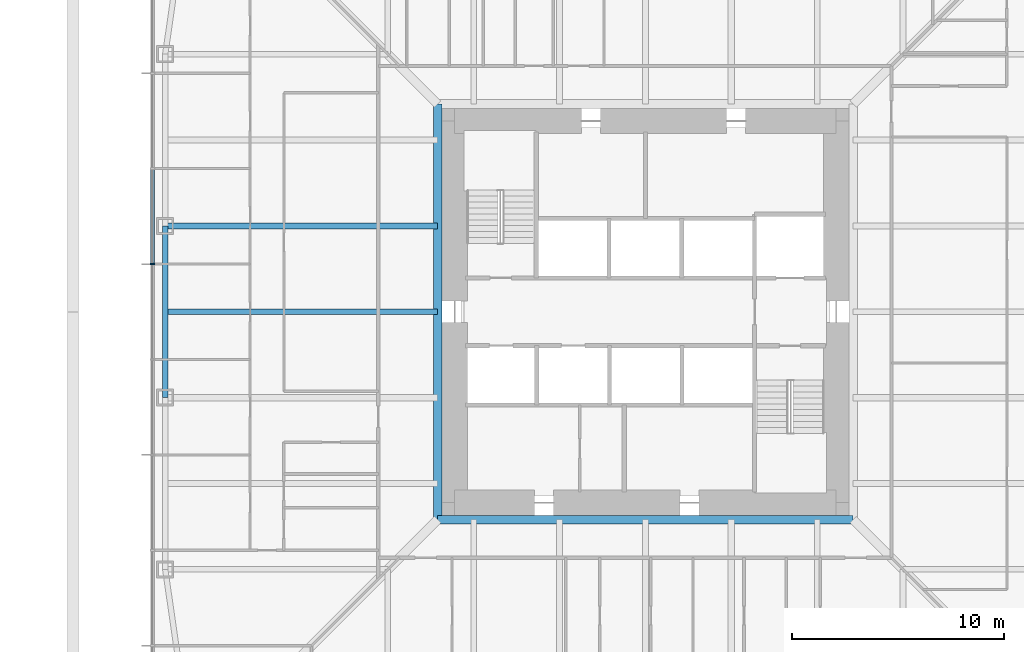
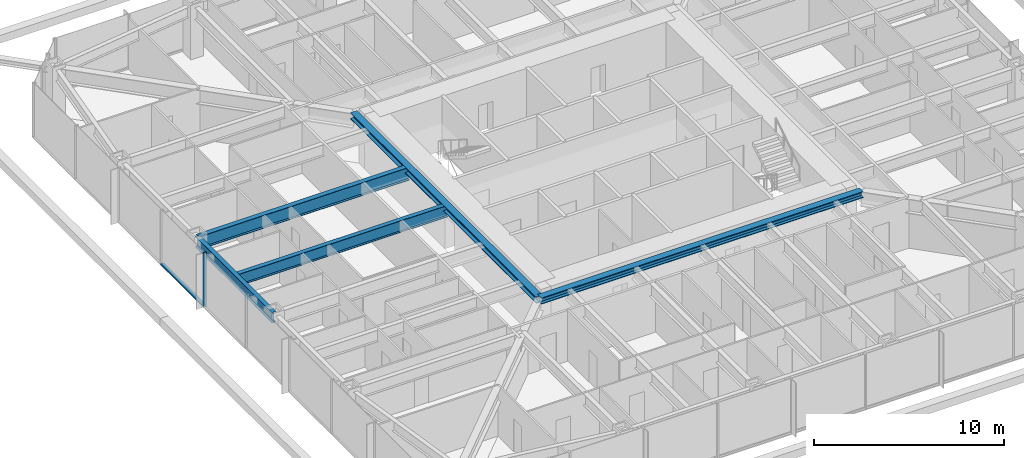
# One storey, part 4 of 27: 5 beams, 2 members, 1 element without a shape of its own.
"""IFC4 building model written with IfcOpenShell, lengths in metres."""

from ifc_helpers import new_model, si_unit, direction, frame, origin, origin_2d, place, context, subcontext, project, spatial, rectangle, i_section, extrude, material, material_profile, profile_set, type_object, element, aggregate, save


model = new_model("IFC4")

# Units and contexts
model_context = context("Model", 3, precision=1e-05, world=origin(), true_north=direction((0.0, 1.0)))
body_context = subcontext(model_context, "Body", "Model", "MODEL_VIEW")
ifc_project = project(units=[si_unit("LENGTHUNIT", "METRE"), si_unit("AREAUNIT", "SQUARE_METRE"), si_unit("VOLUMEUNIT", "CUBIC_METRE"), si_unit("PLANEANGLEUNIT", "RADIAN"), si_unit("MASSUNIT", "GRAM", prefix="KILO")], contexts=[model_context])

# Site, building, storey
site_placement = place(None, origin())
site = spatial("IfcSite", under=ifc_project, at=site_placement, CompositionType="ELEMENT")
building_placement = place(site_placement, origin())
building = spatial("IfcBuilding", under=site, at=building_placement, Name="Iwan Alto Co-Living Towers", CompositionType="ELEMENT")
storey_placement = place(building_placement, frame((0.0, 0.0, 53.5)))
storey = spatial("IfcBuildingStorey", under=building, at=storey_placement, Name="L14", CompositionType="ELEMENT", Elevation=53.5)

# Curtain wall, members
ifc_material_1 = material(Name="Bronze aluminium unitised frame", Category="aluminium")
curtain_wall_type = type_object("IfcCurtainWallType", Name="CURTAIN WALL CW-A", PredefinedType="NOTDEFINED", material=ifc_material_1)
curtain_wall_placement = place(storey_placement, origin())
curtain_wall = element("IfcCurtainWall", 1, at=curtain_wall_placement, inside=storey, type_object=curtain_wall_type, Name="T1 curtain wall W L14", PredefinedType="NOTDEFINED")
ifc_material_2 = material(Name="Aluminium 6063-T6 bronze anodised", Category="aluminium")
ifc_material_profile_1 = material_profile(ifc_material_2, rectangle(XDim=0.199951171875, YDim=0.080078125, at=origin_2d()), Name="AL 80X200")
ifc_profile_set_1 = profile_set([ifc_material_profile_1], Name="Aluminium 6063-T6 bronze anodised")
member_type_1 = type_object("IfcMemberType", Name="CW-A MULLION 80X200", PredefinedType="MULLION", material=ifc_profile_set_1)
member_1_placement = place(storey_placement, frame((-23.25, 2.25, 0.0), z_axis=(0.0, 0.0, 1.0), x_axis=(1.0, 0.0, 0.0)))
member_1 = element("IfcMember", 2, at=member_1_placement, type_object=member_type_1, Name="CW-A mullion 5", PredefinedType="MULLION", context=body_context, shape_type="SweptSolid", body=[
    extrude(rectangle(XDim=0.199951171875, YDim=0.080078125, at=origin_2d()), origin(), (0.0, 0.0, 1.0), 3.5),
])
ifc_material_3 = material(Name="Aluminium 6063-T6 bronze anodised", Category="aluminium")
ifc_material_profile_2 = material_profile(ifc_material_3, rectangle(XDim=0.199951171875, YDim=0.10009765625, at=origin_2d()), Name="AL 200X100")
ifc_profile_set_2 = profile_set([ifc_material_profile_2], Name="Aluminium 6063-T6 bronze anodised")
member_type_2 = type_object("IfcMemberType", Name="CW-A TRANSOM 200X100", PredefinedType="USERDEFINED", material=ifc_profile_set_2)
member_2_placement = place(storey_placement, frame((-23.25, 6.7099609375, 0.050048828125), z_axis=(0.0, -1.0, 0.0), x_axis=(1.0, 0.0, 0.0)))
member_2 = element("IfcMember", 3, at=member_2_placement, type_object=member_type_2, Name="CW-A transom 4.1", ObjectType="TRANSOM", PredefinedType="USERDEFINED", context=body_context, shape_type="SweptSolid", body=[
    extrude(rectangle(XDim=0.199951171875, YDim=0.10009765625, at=origin_2d()), origin(), (0.0, 0.0, 1.0), 4.419921875),
])
aggregate(curtain_wall, [member_1, member_2])

# Beams
ifc_material_4 = material(Name="Steel ASTM A992 Gr 50", Category="steel")
ifc_material_profile_3 = material_profile(ifc_material_4, i_section(OverallWidth=0.40380859375, OverallDepth=0.406494140625, WebThickness=0.027099609375, FlangeThickness=0.043701171875, at=origin_2d()), Name="W14X233")
ifc_profile_set_3 = profile_set([ifc_material_profile_3], Name="Steel ASTM A992 Gr 50")
beam_type_1 = type_object("IfcBeamType", Name="T1 CORE LEDGER BEAM W14X233", PredefinedType="BEAM", material=ifc_profile_set_3)
for number, where, z_axis, x_axis, name in (
    (4, (-9.802001953125, -9.802001953125, 3.06689453125), (1.0, 0.0, 0.0), (0.0, 1.0, 0.0), "T1 core ledger beam S L15"),
    (5, (-9.802001953125, 9.802001953125, 3.06689453125), (0.0, -1.0, 0.0), (1.0, 0.0, 0.0), "T1 core ledger beam W L15"),
):
    element("IfcBeam", number, at=place(storey_placement, frame(where, z_axis=z_axis, x_axis=x_axis)), inside=storey, type_object=beam_type_1, Name=name, PredefinedType="BEAM", context=body_context, shape_type="SweptSolid", body=[
        extrude(i_section(OverallWidth=0.40380859375, OverallDepth=0.406494140625, WebThickness=0.027099609375, FlangeThickness=0.043701171875, at=origin_2d()), origin(), (0.0, 0.0, 1.0), 19.60400390625),
    ])
ifc_material_5 = material(Name="Steel ASTM A992 Gr 50", Category="steel")
ifc_material_profile_4 = material_profile(ifc_material_5, i_section(OverallWidth=0.25390625, OverallDepth=0.683349609375, WebThickness=0.012451171875, FlangeThickness=0.018798828125, at=origin_2d()), Name="W27X94")
ifc_profile_set_4 = profile_set([ifc_material_profile_4], Name="Steel ASTM A992 Gr 50")
beam_type_2 = type_object("IfcBeamType", Name="T1 EDGE BEAM W27X94", PredefinedType="BEAM", material=ifc_profile_set_4)
beam_1_placement = place(storey_placement, frame((-22.64990234375, 4.050048828125, 2.928466796875), z_axis=(0.0, -1.0, 0.0), x_axis=(1.0, 0.0, 0.0)))
element("IfcBeam", 6, at=beam_1_placement, inside=storey, type_object=beam_type_2, Name="T1 edge beam W2 L15", PredefinedType="BEAM", context=body_context, shape_type="SweptSolid", body=[
    extrude(i_section(OverallWidth=0.25390625, OverallDepth=0.683349609375, WebThickness=0.012451171875, FlangeThickness=0.018798828125, at=origin_2d()), origin(), (0.0, 0.0, 1.0), 8.10009765625),
])
ifc_material_6 = material(Name="Steel ASTM A992 Gr 50", Category="steel")
ifc_material_profile_5 = material_profile(ifc_material_6, i_section(OverallWidth=0.2919921875, OverallDepth=0.8408203125, WebThickness=0.0146484375, FlangeThickness=0.021728515625, at=origin_2d()), Name="W33X130")
ifc_profile_set_5 = profile_set([ifc_material_profile_5], Name="Steel ASTM A992 Gr 50")
beam_type_3 = type_object("IfcBeamType", Name="T1 RADIAL BEAM W33X130", PredefinedType="BEAM", material=ifc_profile_set_5)
beam_2_placement = place(storey_placement, frame((-22.64990234375, 4.050048828125, 2.849609375), z_axis=(1.0, 0.0, 0.0), x_axis=(0.0, 1.0, 0.0)))
element("IfcBeam", 7, at=beam_2_placement, inside=storey, type_object=beam_type_3, Name="T1 radial beam W2 L15", PredefinedType="BEAM", context=body_context, shape_type="SweptSolid", body=[
    extrude(i_section(OverallWidth=0.2919921875, OverallDepth=0.8408203125, WebThickness=0.0146484375, FlangeThickness=0.021728515625, at=origin_2d()), origin(), (0.0, 0.0, 1.0), 12.847900390625),
])
ifc_material_7 = material(Name="Steel ASTM A992 Gr 50", Category="steel")
ifc_material_profile_6 = material_profile(ifc_material_7, i_section(OverallWidth=0.2666015625, OverallDepth=0.761962890625, WebThickness=0.014404296875, FlangeThickness=0.021484375, at=origin_2d()), Name="W30X116")
ifc_profile_set_6 = profile_set([ifc_material_profile_6], Name="Steel ASTM A992 Gr 50")
beam_type_4 = type_object("IfcBeamType", Name="T1 SECONDARY BEAM W30X116", PredefinedType="JOIST", material=ifc_profile_set_6)
beam_3_placement = place(storey_placement, frame((-22.64990234375, 0.0, 2.888916015625), z_axis=(1.0, 0.0, 0.0), x_axis=(0.0, 1.0, 0.0)))
element("IfcBeam", 8, at=beam_3_placement, inside=storey, type_object=beam_type_4, Name="T1 secondary beam W2 L15", PredefinedType="JOIST", context=body_context, shape_type="SweptSolid", body=[
    extrude(i_section(OverallWidth=0.2666015625, OverallDepth=0.761962890625, WebThickness=0.014404296875, FlangeThickness=0.021484375, at=origin_2d()), origin(), (0.0, 0.0, 1.0), 12.847900390625),
])

save(model, "model.ifc")
